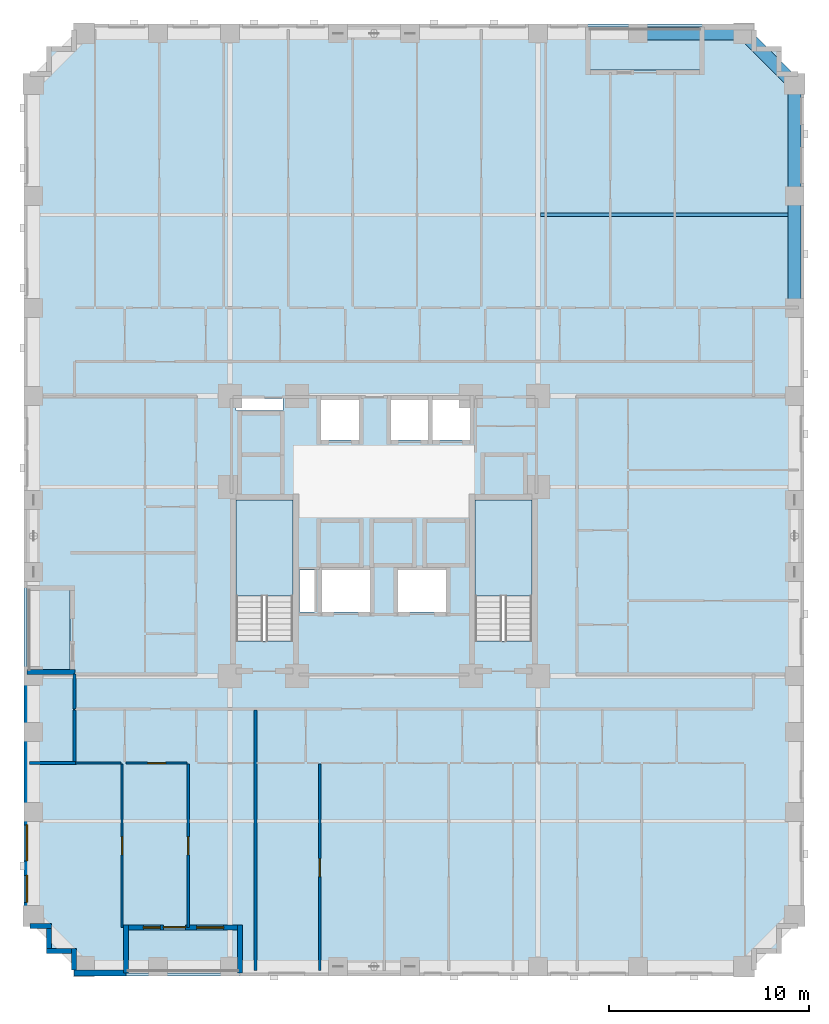
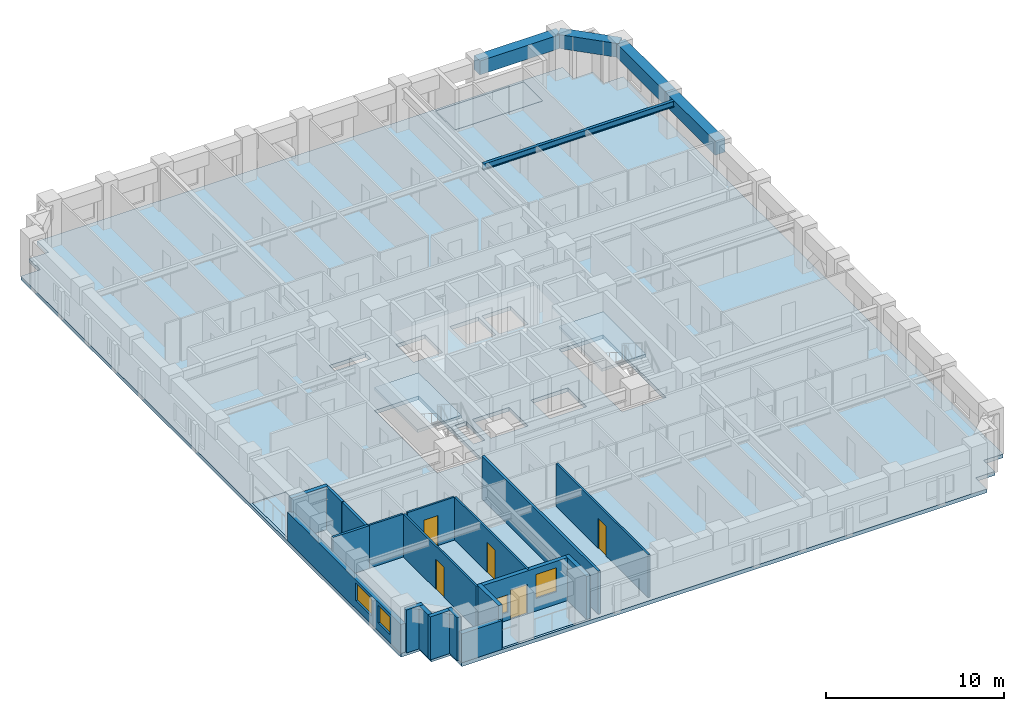
# One storey, part 2 of 14: 19 walls, 6 slabs, 5 beams, 5 doors, 4 windows, 9 openings, 2 elements without a shape of their own.
"""IFC4 building model written with IfcOpenShell, lengths in metres."""

from ifc_helpers import new_model, si_unit, derived_unit, direction, frame, frame_2d, origin, origin_2d, place, context, subcontext, project, spatial, polyline, rectangle, i_section, outline, extrude, material, layer, layer_set, material_profile, profile_set, type_object, element, fill, aggregate, save


model = new_model("IFC4")

# Units and contexts
model_context = context("Model", 3, precision=1e-05, world=origin(), true_north=direction((0.0, 1.0)))
body_context = subcontext(model_context, "Body", "Model", "MODEL_VIEW")
ifc_project = project(units=[si_unit("LENGTHUNIT", "METRE"), si_unit("AREAUNIT", "SQUARE_METRE"), si_unit("VOLUMEUNIT", "CUBIC_METRE"), si_unit("PLANEANGLEUNIT", "RADIAN"), si_unit("MASSUNIT", "GRAM", prefix="KILO"), derived_unit("THERMALTRANSMITTANCEUNIT", [(si_unit("MASSUNIT", "GRAM", prefix="KILO"), 1), (si_unit("TIMEUNIT", "SECOND"), -3), (si_unit("THERMODYNAMICTEMPERATUREUNIT", "KELVIN"), -1)])], contexts=[model_context])

# Site, building, storey
site_placement = place(None, origin())
site = spatial("IfcSite", under=ifc_project, at=site_placement, CompositionType="ELEMENT")
building_placement = place(site_placement, origin())
building = spatial("IfcBuilding", under=site, at=building_placement, Name="Korrvale Station Residences", CompositionType="ELEMENT")
storey_placement = place(building_placement, frame((0.0, 0.0, 41.800048828125)))
storey = spatial("IfcBuildingStorey", under=building, at=storey_placement, Name="L10", CompositionType="ELEMENT", Elevation=41.800048828125)

# Beams
ifc_material_1 = material(Name="Steel S355", Category="steel")
ifc_material_profile_1 = material_profile(ifc_material_1, i_section(OverallWidth=0.180908203125, OverallDepth=0.4169921875, WebThickness=0.010986328125, FlangeThickness=0.018310546875, FilletRadius=0.01611328125, at=origin_2d()), Name="W410x85")
ifc_profile_set_1 = profile_set([ifc_material_profile_1], Name="Steel S355")
beam_type_1 = type_object("IfcBeamType", Name="BM-JST-W410x85-S355", PredefinedType="JOIST", material=ifc_profile_set_1)
beam_1_placement = place(storey_placement, frame((33.333984375, 38.06005859375, 2.7314453125), z_axis=(1.0, 0.0, 0.0), x_axis=(0.0, 1.0, 0.0)))
element("IfcBeam", 1, at=beam_1_placement, inside=storey, type_object=beam_type_1, Name="L10 Floor Framing Joist 06", PredefinedType="JOIST", context=body_context, shape_type="SweptSolid", body=[
    extrude(i_section(OverallWidth=0.180908203125, OverallDepth=0.4169921875, WebThickness=0.010986328125, FlangeThickness=0.018310546875, FilletRadius=0.01611328125, at=origin_2d()), origin(), (0.0, 0.0, 1.0), 12.361083984375),
])
ifc_material_2 = material(Name="Concrete C70/85", Category="concrete")
ifc_material_profile_2 = material_profile(ifc_material_2, rectangle(XDim=0.64990234375, YDim=0.949951171875, at=origin_2d()), Name="RCB650x950")
ifc_profile_set_2 = profile_set([ifc_material_profile_2], Name="Concrete C70/85")
beam_type_2 = type_object("IfcBeamType", Name="BM-SPB-RCB650x950-C7085", PredefinedType="SPANDREL", material=ifc_profile_set_2)
beam_2_placement = place(storey_placement, frame((38.199951171875, 47.1201171875, 2.46484375), z_axis=(1.0, 0.0, 0.0), x_axis=(0.0, 1.0, 0.0)))
element("IfcBeam", 2, at=beam_2_placement, inside=storey, type_object=beam_type_2, Name="L10 North Tube Spandrel 14", PredefinedType="SPANDREL", context=body_context, shape_type="SweptSolid", body=[
    extrude(rectangle(XDim=0.64990234375, YDim=0.949951171875, at=origin_2d()), origin(), (0.0, 0.0, 1.0), 5.300048828125),
])
for number, where, z_axis, x_axis, name in (
    (3, (46.02001953125, 33.39990234375, 2.46484375), (0.0, 1.0, 0.0), (-1.0, 0.0, 0.0), "L10 East Tube Spandrel 31"),
    (4, (46.02001953125, 39.0, 2.46484375), (0.0, 1.0, 0.0), (-1.0, 0.0, 0.0), "L10 East Tube Spandrel 32"),
):
    element("IfcBeam", number, at=place(storey_placement, frame(where, z_axis=z_axis, x_axis=x_axis)), inside=storey, type_object=beam_type_2, Name=name, PredefinedType="SPANDREL", context=body_context, shape_type="SweptSolid", body=[
        extrude(rectangle(XDim=0.64990234375, YDim=0.949951171875, at=origin_2d()), origin(), (0.0, 0.0, 1.0), 5.60009765625),
    ])
beam_3_placement = place(storey_placement, frame((43.5, 47.1201171875, 2.46484375), z_axis=(0.707106781187, -0.707106781187, 0.0), x_axis=(0.707106781187, 0.707106781187, 0.0)))
element("IfcBeam", 5, at=beam_3_placement, inside=storey, type_object=beam_type_2, Name="L10 Serrated Corner Spandrel 35", PredefinedType="SPANDREL", context=body_context, shape_type="SweptSolid", body=[
    extrude(rectangle(XDim=0.64990234375, YDim=0.949951171875, at=origin_2d()), origin(), (0.0, 0.0, 1.0), 3.56396484375),
])

# Slabs
ifc_material_3 = material(Name="Concrete C50/60", Category="concrete")
ifc_layer_1 = layer(ifc_material_3, 0.219970703125, Name="Concrete C50/60")
ifc_layer_set_1 = layer_set([ifc_layer_1], Name="Concrete C50/60")
slab_type_1 = type_object("IfcSlabType", Name="SLB-BAL-220", PredefinedType="FLOOR", material=ifc_layer_set_1)
slab_1_placement = place(storey_placement, frame((0.0, 0.0, -0.219970703125)))
element("IfcSlab", 6, at=slab_1_placement, inside=storey, type_object=slab_type_1, Name="L10 Recessed Loggia Balcony Slab BAL-L10-S1", PredefinedType="FLOOR", context=body_context, shape_type="SweptSolid", body=[
    extrude(outline(polyline([(12.60009765625, 0.14990234375), (18.300048828125, 0.14990234375), (18.300048828125, 2.300048828125), (12.60009765625, 2.300048828125), (12.60009765625, 0.14990234375)])), origin(), (0.0, 0.0, 1.0), 0.219970703125),
])
slab_2_placement = place(storey_placement, frame((0.0, 0.0, -0.219970703125)))
element("IfcSlab", 7, at=slab_2_placement, inside=storey, type_object=slab_type_1, Name="L10 Recessed Loggia Balcony Slab BAL-L10-N1", PredefinedType="FLOOR", context=body_context, shape_type="SweptSolid", body=[
    extrude(outline(polyline([(35.699951171875, 45.300048828125), (41.39990234375, 45.300048828125), (41.39990234375, 47.449951171875), (35.699951171875, 47.449951171875), (35.699951171875, 45.300048828125)])), origin(), (0.0, 0.0, 1.0), 0.219970703125),
])
slab_3_placement = place(storey_placement, frame((0.0, 0.0, -0.219970703125)))
element("IfcSlab", 8, at=slab_3_placement, inside=storey, type_object=slab_type_1, Name="L10 Recessed Loggia Balcony Slab BAL-L10-W1", PredefinedType="FLOOR", context=body_context, shape_type="SweptSolid", body=[
    extrude(outline(polyline([(7.64990234375, 15.199951171875), (9.800048828125, 15.199951171875), (9.800048828125, 19.39990234375), (7.64990234375, 19.39990234375), (7.64990234375, 15.199951171875)])), origin(), (0.0, 0.0, 1.0), 0.219970703125),
])
ifc_layer_2 = layer(ifc_material_3, 0.260009765625, Name="Concrete C50/60")
ifc_layer_set_2 = layer_set([ifc_layer_2], Name="Concrete C50/60")
slab_type_2 = type_object("IfcSlabType", Name="SLB-FLR-260", PredefinedType="FLOOR", material=ifc_layer_set_2)
slab_4_placement = place(storey_placement, frame((0.0, 0.0, -0.260009765625)))
element("IfcSlab", 9, at=slab_4_placement, inside=storey, type_object=slab_type_2, Name="L10 Suspended Structural Floor Slab", PredefinedType="FLOOR", context=body_context, shape_type="SweptSolid", body=[
    extrude(outline(polyline([(10.0, 0.0), (44.0, 0.0), (44.0, 1.25), (45.25, 1.25), (45.25, 2.5), (46.5, 2.5), (46.5, 45.10009765625), (45.25, 45.10009765625), (45.25, 46.35009765625), (44.0, 46.35009765625), (44.0, 47.60009765625), (10.0, 47.60009765625), (10.0, 46.35009765625), (8.75, 46.35009765625), (8.75, 45.10009765625), (7.5, 45.10009765625), (7.5, 2.5), (8.75, 2.5), (8.75, 1.25), (10.0, 1.25), (10.0, 0.0)]), holes=[polyline([(20.949951171875, 16.751953125), (20.949951171875, 23.800048828125), (18.10009765625, 23.800048828125), (18.10009765625, 16.751953125), (20.949951171875, 16.751953125)]), polyline([(32.89990234375, 16.751953125), (32.89990234375, 23.800048828125), (30.050048828125, 23.800048828125), (30.050048828125, 16.751953125), (32.89990234375, 16.751953125)]), polyline([(22.35009765625, 26.800048828125), (24.25, 26.800048828125), (24.25, 28.800048828125), (22.35009765625, 28.800048828125), (22.35009765625, 26.800048828125)]), polyline([(25.85009765625, 26.800048828125), (27.7099609375, 26.800048828125), (27.7099609375, 28.800048828125), (25.85009765625, 28.800048828125), (25.85009765625, 26.800048828125)]), polyline([(27.929931640625, 26.800048828125), (29.7900390625, 26.800048828125), (29.7900390625, 28.800048828125), (27.929931640625, 28.800048828125), (27.929931640625, 26.800048828125)]), polyline([(22.39990234375, 18.199951171875), (24.800048828125, 18.199951171875), (24.800048828125, 20.300048828125), (22.39990234375, 20.300048828125), (22.39990234375, 18.199951171875)]), polyline([(26.199951171875, 18.199951171875), (28.60009765625, 18.199951171875), (28.60009765625, 20.300048828125), (26.199951171875, 20.300048828125), (26.199951171875, 18.199951171875)]), polyline([(18.10009765625, 28.280029296875), (20.449951171875, 28.280029296875), (20.449951171875, 28.8798828125), (18.10009765625, 28.8798828125), (18.10009765625, 28.280029296875)]), polyline([(21.280029296875, 18.199951171875), (22.02001953125, 18.199951171875), (22.02001953125, 20.300048828125), (21.280029296875, 20.300048828125), (21.280029296875, 18.199951171875)]), polyline([(12.60009765625, 0.14990234375), (18.300048828125, 0.14990234375), (18.300048828125, 2.300048828125), (12.60009765625, 2.300048828125), (12.60009765625, 0.14990234375)]), polyline([(35.699951171875, 45.300048828125), (41.39990234375, 45.300048828125), (41.39990234375, 47.449951171875), (35.699951171875, 47.449951171875), (35.699951171875, 45.300048828125)]), polyline([(7.64990234375, 15.199951171875), (9.800048828125, 15.199951171875), (9.800048828125, 19.39990234375), (7.64990234375, 19.39990234375), (7.64990234375, 15.199951171875)])]), origin(), (0.0, 0.0, 1.0), 0.260009765625),
])

# Stair, slab
stair_type = type_object("IfcStairType", Name="STR-DL-1350-18R-1778", PredefinedType="HALF_TURN_STAIR", material=ifc_material_3)
stair_1_placement = place(storey_placement, origin())
stair_1 = element("IfcStair", 10, at=stair_1_placement, inside=storey, type_object=stair_type, Name="L10 Exit Stair 1", PredefinedType="HALF_TURN_STAIR")
ifc_layer_3 = layer(ifc_material_3, 0.199951171875, Name="Concrete C50/60")
ifc_layer_set_3 = layer_set([ifc_layer_3], Name="Concrete C50/60")
slab_type_3 = type_object("IfcSlabType", Name="SLB-LND-200", PredefinedType="LANDING", material=ifc_layer_set_3)
slab_5_placement = place(storey_placement, frame((0.0, 0.0, 1.39990234375)))
slab_5 = element("IfcSlab", 11, at=slab_5_placement, type_object=slab_type_3, Name="ST-1 landing 1", PredefinedType="LANDING", context=body_context, shape_type="SweptSolid", body=[
    extrude(outline(polyline([(20.949951171875, 18.989990234375), (20.949951171875, 23.800048828125), (18.10009765625, 23.800048828125), (18.10009765625, 18.989990234375), (20.949951171875, 18.989990234375)])), origin(), (0.0, 0.0, 1.0), 0.199951171875),
])
aggregate(stair_1, [slab_5])

stair_2_placement = place(storey_placement, origin())
stair_2 = element("IfcStair", 12, at=stair_2_placement, inside=storey, type_object=stair_type, Name="L10 Exit Stair 2", PredefinedType="HALF_TURN_STAIR")
slab_6_placement = place(storey_placement, frame((0.0, 0.0, 1.39990234375)))
slab_6 = element("IfcSlab", 13, at=slab_6_placement, type_object=slab_type_3, Name="ST-2 landing 1", PredefinedType="LANDING", context=body_context, shape_type="SweptSolid", body=[
    extrude(outline(polyline([(32.89990234375, 18.989990234375), (32.89990234375, 23.800048828125), (30.050048828125, 23.800048828125), (30.050048828125, 18.989990234375), (32.89990234375, 18.989990234375)])), origin(), (0.0, 0.0, 1.0), 0.199951171875),
])
aggregate(stair_2, [slab_6])

# Wall
ifc_material_4 = material(Name="Precast concrete C45/55", Category="concrete")
ifc_layer_4 = layer(ifc_material_4, 0.260009765625, Name="Precast concrete C45/55")
ifc_layer_set_4 = layer_set([ifc_layer_4], Name="Precast concrete C45/55")
wall_type_1 = type_object("IfcWallType", Name="WAL-EXT-LOG260", PredefinedType="SOLIDWALL", material=ifc_layer_set_4)
wall_1_placement = place(storey_placement, frame((18.300048828125, 0.159912109375, 0.0), z_axis=(0.0, 0.0, 1.0), x_axis=(0.0, 1.0, 0.0)))
element("IfcWall", 14, at=wall_1_placement, inside=storey, type_object=wall_type_1, Name="L10 Recessed Loggia Wall BAL-L10-S1-L", PredefinedType="SOLIDWALL", context=body_context, shape_type="SweptSolid", body=[
    extrude(rectangle(XDim=2.400146484375, YDim=0.260009765625, at=frame_2d((1.2001953125, 0.0))), origin(), (0.0, 0.0, 1.0), 2.93994140625),
])

# Wall, openings, door, windows
wall_2_placement = place(storey_placement, frame((18.166015625, 2.429931640625, 0.0), z_axis=(0.0, 0.0, 1.0), x_axis=(-1.0, 0.0, 0.0)))
wall_2 = element("IfcWall", 15, at=wall_2_placement, inside=storey, type_object=wall_type_1, Name="L10 Recessed Loggia Wall BAL-L10-S1-B", PredefinedType="SOLIDWALL", context=body_context, shape_type="SweptSolid", body=[
    extrude(rectangle(XDim=5.43212890625, YDim=0.260009765625, at=frame_2d((2.716064453125, 0.0))), origin(), (0.0, 0.0, 1.0), 2.93994140625),
])
opening_1_placement = place(wall_2_placement, frame((2.591064453125, 0.0, 0.0)))
opening_1 = element("IfcOpeningElement", 16, at=opening_1_placement, cuts=wall_2, Name="Opening BD-01", PredefinedType="OPENING", context=body_context, shape_type="SweptSolid", body=[
    extrude(rectangle(XDim=1.10009765625, YDim=2.0, at=frame_2d((0.550048828125, 1.0))), frame((0.0, 0.14013671875, 0.0), z_axis=(0.0, -1.0, 0.0), x_axis=(1.0, 0.0, 0.0)), (0.0, 0.0, 1.0), 0.280029296875),
])
opening_2_placement = place(wall_2_placement, frame((3.85107421875, 0.0, 0.550048828125)))
opening_2 = element("IfcOpeningElement", 17, at=opening_2_placement, cuts=wall_2, Name="Opening W-11", PredefinedType="OPENING", context=body_context, shape_type="SweptSolid", body=[
    extrude(rectangle(XDim=0.85009765625, YDim=1.199951171875, at=frame_2d((0.425048828125, 0.60009765625))), frame((0.0, 0.14013671875, 0.0), z_axis=(0.0, -1.0, 0.0), x_axis=(1.0, 0.0, 0.0)), (0.0, 0.0, 1.0), 0.280029296875),
])
opening_3_placement = place(wall_2_placement, frame((0.68310546875, 0.0, 0.85009765625)))
opening_3 = element("IfcOpeningElement", 18, at=opening_3_placement, cuts=wall_2, Name="Opening W-06", PredefinedType="OPENING", context=body_context, shape_type="SweptSolid", body=[
    extrude(rectangle(XDim=1.35009765625, YDim=1.64990234375, at=frame_2d((0.675048828125, 0.824951171875))), frame((0.0, 0.14013671875, 0.0), z_axis=(0.0, -1.0, 0.0), x_axis=(1.0, 0.0, 0.0)), (0.0, 0.0, 1.0), 0.280029296875),
])
ifc_material_5 = material(Name="Exterior thermally broken aluminium glazed balcony door", Category="aluminium")
door_type_1 = type_object("IfcDoorType", Name="DR-EXT-BAL", OperationType="NOTDEFINED", PredefinedType="DOOR", material=ifc_material_5)
door_1_placement = place(opening_1_placement, origin())
door_1 = element("IfcDoor", 19, at=door_1_placement, inside=storey, type_object=door_type_1, Name="L10 Loggia Balcony Door BAL-L10-S1", OperationType="SINGLE_SWING_LEFT", OverallHeight=2.0, OverallWidth=1.10009765625, PredefinedType="DOOR", context=body_context, shape_type="SweptSolid", body=[
    extrude(rectangle(XDim=1.10009765625, YDim=2.0, at=frame_2d((0.550048828125, 1.0))), frame((0.0, 0.02490234375, 0.0), z_axis=(0.0, -1.0, 0.0), x_axis=(1.0, 0.0, 0.0)), (0.0, 0.0, 1.0), 0.050048828125),
])
fill(opening_1, door_1)
ifc_material_6 = material(Name="Thermally broken aluminium frame with triple low-e glazing", Category="aluminium")
window_type_1 = type_object("IfcWindowType", Name="WIN-W06", PartitioningType="SINGLE_PANEL", PredefinedType="WINDOW", material=ifc_material_6)
window_1_placement = place(opening_3_placement, origin())
window_1 = element("IfcWindow", 20, at=window_1_placement, inside=storey, type_object=window_type_1, Name="L10 Punched Window 04", OverallHeight=1.64990234375, OverallWidth=1.35009765625, PartitioningType="SINGLE_PANEL", PredefinedType="WINDOW", context=body_context, shape_type="SweptSolid", body=[
    extrude(rectangle(XDim=1.35009765625, YDim=1.64990234375, at=frame_2d((0.675048828125, 0.824951171875))), frame((0.0, 0.030029296875, 0.0), z_axis=(0.0, -1.0, 0.0), x_axis=(1.0, 0.0, 0.0)), (0.0, 0.0, 1.0), 0.06005859375),
])
fill(opening_3, window_1)
window_type_2 = type_object("IfcWindowType", Name="WIN-W11", PartitioningType="SINGLE_PANEL", PredefinedType="WINDOW", material=ifc_material_6)
window_2_placement = place(opening_2_placement, origin())
window_2 = element("IfcWindow", 21, at=window_2_placement, inside=storey, type_object=window_type_2, Name="L10 Punched Window 03", OverallHeight=1.199951171875, OverallWidth=0.85009765625, PartitioningType="SINGLE_PANEL", PredefinedType="WINDOW", context=body_context, shape_type="SweptSolid", body=[
    extrude(rectangle(XDim=0.85009765625, YDim=1.199951171875, at=frame_2d((0.425048828125, 0.60009765625))), frame((0.0, 0.030029296875, 0.0), z_axis=(0.0, -1.0, 0.0), x_axis=(1.0, 0.0, 0.0)), (0.0, 0.0, 1.0), 0.06005859375),
])
fill(opening_2, window_2)

# Walls
for number, where, z_axis, x_axis, name in (
    (22, (12.60009765625, 2.56005859375, 0.0), (0.0, 0.0, 1.0), (0.0, -1.0, 0.0), "L10 Recessed Loggia Wall BAL-L10-S1-R"),
    (23, (7.659912109375, 15.199951171875, 0.0), (0.0, 0.0, 1.0), (1.0, 0.0, 0.0), "L10 Recessed Loggia Wall BAL-L10-W1-L"),
):
    element("IfcWall", number, at=place(storey_placement, frame(where, z_axis=z_axis, x_axis=x_axis)), inside=storey, type_object=wall_type_1, Name=name, PredefinedType="SOLIDWALL", context=body_context, shape_type="SweptSolid", body=[
        extrude(rectangle(XDim=2.400146484375, YDim=0.260009765625, at=frame_2d((1.2001953125, 0.0))), origin(), (0.0, 0.0, 1.0), 2.93994140625),
    ])
wall_3_placement = place(storey_placement, frame((10.0, 0.302001953125, 0.0), z_axis=(0.0, 0.0, 1.0), x_axis=(0.0, 1.0, 0.0)))
element("IfcWall", 24, at=wall_3_placement, inside=storey, type_object=wall_type_1, Name="L10 Serrated Corner Precast Step SW-1", PredefinedType="SOLIDWALL", context=body_context, shape_type="SweptSolid", body=[
    extrude(rectangle(XDim=1.077880859375, YDim=0.260009765625, at=frame_2d((0.5390625, 0.0))), origin(), (0.0, 0.0, 1.0), 2.93994140625),
])
wall_4_placement = place(storey_placement, frame((9.867919921875, 1.25, 0.0), z_axis=(0.0, 0.0, 1.0), x_axis=(-1.0, 0.0, 0.0)))
element("IfcWall", 25, at=wall_4_placement, inside=storey, type_object=wall_type_1, Name="L10 Serrated Corner Precast Step SW-2", PredefinedType="SOLIDWALL", context=body_context, shape_type="SweptSolid", body=[
    extrude(rectangle(XDim=1.247802734375, YDim=0.260009765625, at=frame_2d((0.6240234375, 0.0))), origin(), (0.0, 0.0, 1.0), 2.93994140625),
])
wall_5_placement = place(storey_placement, frame((8.75, 1.382080078125, 0.0), z_axis=(0.0, 0.0, 1.0), x_axis=(0.0, 1.0, 0.0)))
element("IfcWall", 26, at=wall_5_placement, inside=storey, type_object=wall_type_1, Name="L10 Serrated Corner Precast Step SW-3", PredefinedType="SOLIDWALL", context=body_context, shape_type="SweptSolid", body=[
    extrude(rectangle(XDim=0.98583984375, YDim=0.260009765625, at=frame_2d((0.492919921875, 0.0))), origin(), (0.0, 0.0, 1.0), 2.93994140625),
])
wall_6_placement = place(storey_placement, frame((8.8798828125, 2.5, 0.0), z_axis=(0.0, 0.0, 1.0), x_axis=(-1.0, 0.0, 0.0)))
element("IfcWall", 27, at=wall_6_placement, inside=storey, type_object=wall_type_1, Name="L10 Serrated Corner Precast Step SW-4", PredefinedType="SOLIDWALL", context=body_context, shape_type="SweptSolid", body=[
    extrude(rectangle(XDim=1.077880859375, YDim=0.260009765625, at=frame_2d((0.5390625, 0.0))), origin(), (0.0, 0.0, 1.0), 2.93994140625),
])
ifc_layer_5 = layer(ifc_material_4, 0.300048828125, Name="Precast concrete C45/55")
ifc_layer_set_5 = layer_set([ifc_layer_5], Name="Precast concrete C45/55")
wall_type_2 = type_object("IfcWallType", Name="WAL-EXT-PC300", PredefinedType="SOLIDWALL", material=ifc_layer_set_5)
wall_7_placement = place(storey_placement, frame((12.60009765625, 0.14990234375, 0.0), z_axis=(0.0, 0.0, 1.0), x_axis=(-1.0, 0.0, 0.0)))
element("IfcWall", 28, at=wall_7_placement, inside=storey, type_object=wall_type_2, Name="L10 South Exterior Precast Wall 2", PredefinedType="SOLIDWALL", context=body_context, shape_type="SweptSolid", body=[
    extrude(rectangle(XDim=2.60009765625, YDim=0.300048828125, at=frame_2d((1.300048828125, 0.0))), origin(), (0.0, 0.0, 1.0), 1.974853515625),
])

# Wall, openings, windows
wall_8_placement = place(storey_placement, frame((7.64990234375, 2.5, 0.0), z_axis=(0.0, 0.0, 1.0), x_axis=(0.0, 1.0, 0.0)))
wall_8 = element("IfcWall", 29, at=wall_8_placement, inside=storey, type_object=wall_type_2, Name="L10 West Exterior Precast Wall 1", PredefinedType="SOLIDWALL", context=body_context, shape_type="SweptSolid", body=[
    extrude(rectangle(XDim=12.699951171875, YDim=0.300048828125, at=frame_2d((6.35009765625, 0.0))), origin(), (0.0, 0.0, 1.0), 1.974853515625),
])
opening_4_placement = place(wall_8_placement, frame((3.257080078125, 0.0, 0.550048828125)))
opening_4 = element("IfcOpeningElement", 30, at=opening_4_placement, cuts=wall_8, Name="Opening W-09", PredefinedType="OPENING", context=body_context, shape_type="SweptSolid", body=[
    extrude(rectangle(XDim=1.800048828125, YDim=1.199951171875, at=frame_2d((0.89990234375, 0.60009765625))), frame((0.0, 0.16015625, 0.0), z_axis=(0.0, -1.0, 0.0), x_axis=(1.0, 0.0, 0.0)), (0.0, 0.0, 1.0), 0.320068359375),
])
opening_5_placement = place(wall_8_placement, frame((1.18505859375, 0.0, 0.550048828125)))
opening_5 = element("IfcOpeningElement", 31, at=opening_5_placement, cuts=wall_8, Name="Opening W-10", PredefinedType="OPENING", context=body_context, shape_type="SweptSolid", body=[
    extrude(rectangle(XDim=1.35009765625, YDim=1.199951171875, at=frame_2d((0.675048828125, 0.60009765625))), frame((0.0, 0.16015625, 0.0), z_axis=(0.0, -1.0, 0.0), x_axis=(1.0, 0.0, 0.0)), (0.0, 0.0, 1.0), 0.320068359375),
])
window_type_3 = type_object("IfcWindowType", Name="WIN-W09", PartitioningType="DOUBLE_PANEL_VERTICAL", PredefinedType="WINDOW", material=ifc_material_6)
window_3_placement = place(opening_4_placement, origin())
window_3 = element("IfcWindow", 32, at=window_3_placement, inside=storey, type_object=window_type_3, Name="L10 Punched Window 01", OverallHeight=1.199951171875, OverallWidth=1.800048828125, PartitioningType="DOUBLE_PANEL_VERTICAL", PredefinedType="WINDOW", context=body_context, shape_type="SweptSolid", body=[
    extrude(rectangle(XDim=1.800048828125, YDim=1.199951171875, at=frame_2d((0.89990234375, 0.60009765625))), frame((0.0, 0.030029296875, 0.0), z_axis=(0.0, -1.0, 0.0), x_axis=(1.0, 0.0, 0.0)), (0.0, 0.0, 1.0), 0.06005859375),
])
fill(opening_4, window_3)
window_type_4 = type_object("IfcWindowType", Name="WIN-W10", PartitioningType="SINGLE_PANEL", PredefinedType="WINDOW", material=ifc_material_6)
window_4_placement = place(opening_5_placement, origin())
window_4 = element("IfcWindow", 33, at=window_4_placement, inside=storey, type_object=window_type_4, Name="L10 Punched Window 02", OverallHeight=1.199951171875, OverallWidth=1.35009765625, PartitioningType="SINGLE_PANEL", PredefinedType="WINDOW", context=body_context, shape_type="SweptSolid", body=[
    extrude(rectangle(XDim=1.35009765625, YDim=1.199951171875, at=frame_2d((0.675048828125, 0.60009765625))), frame((0.0, 0.030029296875, 0.0), z_axis=(0.0, -1.0, 0.0), x_axis=(1.0, 0.0, 0.0)), (0.0, 0.0, 1.0), 0.06005859375),
])
fill(opening_5, window_4)

# Wall
ifc_material_7 = material(Name="Acoustic steel-stud gypsum board partition", Category="steel")
ifc_layer_6 = layer(ifc_material_7, 0.1201171875, Name="Acoustic steel-stud gypsum board partition")
ifc_layer_set_6 = layer_set([ifc_layer_6], Name="Acoustic steel-stud gypsum board partition")
wall_type_3 = type_object("IfcWallType", Name="WAL-PART-125", PredefinedType="PARTITIONING", material=ifc_layer_set_6)
wall_9_placement = place(storey_placement, frame((10.080078125, 10.64990234375, 0.0), z_axis=(0.0, 0.0, 1.0), x_axis=(1.0, 0.0, 0.0)))
element("IfcWall", 34, at=wall_9_placement, inside=storey, type_object=wall_type_3, Name="L10 Suite Partition U01-H03", PredefinedType="PARTITIONING", context=body_context, shape_type="SweptSolid", body=[
    extrude(rectangle(XDim=2.260009765625, YDim=0.1201171875, at=frame_2d((1.1298828125, 0.0))), origin(), (0.0, 0.0, 1.0), 2.93994140625),
])

# Wall, opening, door
wall_10_placement = place(storey_placement, frame((12.60009765625, 10.64990234375, 0.0), z_axis=(0.0, 0.0, 1.0), x_axis=(1.0, 0.0, 0.0)))
wall_10 = element("IfcWall", 35, at=wall_10_placement, inside=storey, type_object=wall_type_3, Name="L10 Suite Partition U01-H14", PredefinedType="PARTITIONING", context=body_context, shape_type="SweptSolid", body=[
    extrude(rectangle(XDim=3.054931640625, YDim=0.1201171875, at=frame_2d((1.52734375, 0.0))), origin(), (0.0, 0.0, 1.0), 2.93994140625),
])
opening_6_placement = place(wall_10_placement, frame((1.076904296875, 0.0, 0.0)))
opening_6 = element("IfcOpeningElement", 36, at=opening_6_placement, cuts=wall_10, Name="Opening DI-900", PredefinedType="OPENING", context=body_context, shape_type="SweptSolid", body=[
    extrude(rectangle(XDim=0.89990234375, YDim=2.050048828125, at=frame_2d((0.449951171875, 1.02490234375))), frame((0.0, 0.070068359375, 0.0), z_axis=(0.0, -1.0, 0.0), x_axis=(1.0, 0.0, 0.0)), (0.0, 0.0, 1.0), 0.14013671875),
])
ifc_material_8 = material(Name="Painted solid-core timber interior room door", Category="wood")
door_type_2 = type_object("IfcDoorType", Name="DR-INT-900", OperationType="NOTDEFINED", PredefinedType="DOOR", material=ifc_material_8)
door_2_placement = place(opening_6_placement, origin())
door_2 = element("IfcDoor", 37, at=door_2_placement, inside=storey, type_object=door_type_2, Name="L10 Apartment 2BR L10-U01 Kitchen Door", OperationType="SINGLE_SWING_LEFT", OverallHeight=2.050048828125, OverallWidth=0.89990234375, PredefinedType="DOOR", context=body_context, shape_type="SweptSolid", body=[
    extrude(rectangle(XDim=0.89990234375, YDim=2.050048828125, at=frame_2d((0.449951171875, 1.02490234375))), frame((0.0, 0.02490234375, 0.0), z_axis=(0.0, -1.0, 0.0), x_axis=(1.0, 0.0, 0.0)), (0.0, 0.0, 1.0), 0.050048828125),
])
fill(opening_6, door_2)

wall_11_placement = place(storey_placement, frame((12.39990234375, 2.429931640625, 0.0), z_axis=(0.0, 0.0, 1.0), x_axis=(0.0, 1.0, 0.0)))
wall_11 = element("IfcWall", 38, at=wall_11_placement, inside=storey, type_object=wall_type_3, Name="L10 Suite Partition U01-V34", PredefinedType="PARTITIONING", context=body_context, shape_type="SweptSolid", body=[
    extrude(rectangle(XDim=8.16015625, YDim=0.1201171875, at=frame_2d((4.080078125, 0.0))), origin(), (0.0, 0.0, 1.0), 2.93994140625),
])
opening_7_placement = place(wall_11_placement, frame((3.6298828125, 0.0, 0.0)))
opening_7 = element("IfcOpeningElement", 39, at=opening_7_placement, cuts=wall_11, Name="Opening DI-900", PredefinedType="OPENING", context=body_context, shape_type="SweptSolid", body=[
    extrude(rectangle(XDim=0.89990234375, YDim=2.050048828125, at=frame_2d((0.449951171875, 1.02490234375))), frame((0.0, 0.070068359375, 0.0), z_axis=(0.0, -1.0, 0.0), x_axis=(1.0, 0.0, 0.0)), (0.0, 0.0, 1.0), 0.14013671875),
])
door_3_placement = place(opening_7_placement, origin())
door_3 = element("IfcDoor", 40, at=door_3_placement, inside=storey, type_object=door_type_2, Name="L10 Apartment 2BR L10-U01 Living and Dining Room Door", OperationType="SINGLE_SWING_LEFT", OverallHeight=2.050048828125, OverallWidth=0.89990234375, PredefinedType="DOOR", context=body_context, shape_type="SweptSolid", body=[
    extrude(rectangle(XDim=0.89990234375, YDim=2.050048828125, at=frame_2d((0.449951171875, 1.02490234375))), frame((0.0, 0.02490234375, 0.0), z_axis=(0.0, -1.0, 0.0), x_axis=(1.0, 0.0, 0.0)), (0.0, 0.0, 1.0), 0.050048828125),
])
fill(opening_7, door_3)

wall_12_placement = place(storey_placement, frame((15.715087890625, 2.429931640625, 0.0), z_axis=(0.0, 0.0, 1.0), x_axis=(0.0, 1.0, 0.0)))
wall_12 = element("IfcWall", 41, at=wall_12_placement, inside=storey, type_object=wall_type_3, Name="L10 Suite Partition U01-V45", PredefinedType="PARTITIONING", context=body_context, shape_type="SweptSolid", body=[
    extrude(rectangle(XDim=8.16015625, YDim=0.1201171875, at=frame_2d((4.080078125, 0.0))), origin(), (0.0, 0.0, 1.0), 2.93994140625),
])
opening_8_placement = place(wall_12_placement, frame((3.6298828125, 0.0, 0.0)))
opening_8 = element("IfcOpeningElement", 42, at=opening_8_placement, cuts=wall_12, Name="Opening DI-900", PredefinedType="OPENING", context=body_context, shape_type="SweptSolid", body=[
    extrude(rectangle(XDim=0.89990234375, YDim=2.050048828125, at=frame_2d((0.449951171875, 1.02490234375))), frame((0.0, 0.070068359375, 0.0), z_axis=(0.0, -1.0, 0.0), x_axis=(1.0, 0.0, 0.0)), (0.0, 0.0, 1.0), 0.14013671875),
])
door_4_placement = place(opening_8_placement, origin())
door_4 = element("IfcDoor", 43, at=door_4_placement, inside=storey, type_object=door_type_2, Name="L10 Apartment 2BR L10-U01 Bedroom 1 Door", OperationType="SINGLE_SWING_RIGHT", OverallHeight=2.050048828125, OverallWidth=0.89990234375, PredefinedType="DOOR", context=body_context, shape_type="SweptSolid", body=[
    extrude(rectangle(XDim=0.89990234375, YDim=2.050048828125, at=frame_2d((0.449951171875, 1.02490234375))), frame((0.0, 0.02490234375, 0.0), z_axis=(0.0, -1.0, 0.0), x_axis=(1.0, 0.0, 0.0)), (0.0, 0.0, 1.0), 0.050048828125),
])
fill(opening_8, door_4)

wall_13_placement = place(storey_placement, frame((22.2900390625, 0.280029296875, 0.0), z_axis=(0.0, 0.0, 1.0), x_axis=(0.0, 1.0, 0.0)))
wall_13 = element("IfcWall", 44, at=wall_13_placement, inside=storey, type_object=wall_type_3, Name="L10 Suite Partition U02-V78", PredefinedType="PARTITIONING", context=body_context, shape_type="SweptSolid", body=[
    extrude(rectangle(XDim=10.31005859375, YDim=0.1201171875, at=frame_2d((5.155029296875, 0.0))), origin(), (0.0, 0.0, 1.0), 2.93994140625),
])
opening_9_placement = place(wall_13_placement, frame((4.68994140625, 0.0, 0.0)))
opening_9 = element("IfcOpeningElement", 45, at=opening_9_placement, cuts=wall_13, Name="Opening DI-900", PredefinedType="OPENING", context=body_context, shape_type="SweptSolid", body=[
    extrude(rectangle(XDim=0.89990234375, YDim=2.050048828125, at=frame_2d((0.449951171875, 1.02490234375))), frame((0.0, 0.070068359375, 0.0), z_axis=(0.0, -1.0, 0.0), x_axis=(1.0, 0.0, 0.0)), (0.0, 0.0, 1.0), 0.14013671875),
])
door_5_placement = place(opening_9_placement, origin())
door_5 = element("IfcDoor", 46, at=door_5_placement, inside=storey, type_object=door_type_2, Name="L10 Studio Apartment L10-U02 Formal Dining Room Door", OperationType="SINGLE_SWING_LEFT", OverallHeight=2.050048828125, OverallWidth=0.89990234375, PredefinedType="DOOR", context=body_context, shape_type="SweptSolid", body=[
    extrude(rectangle(XDim=0.89990234375, YDim=2.050048828125, at=frame_2d((0.449951171875, 1.02490234375))), frame((0.0, 0.02490234375, 0.0), z_axis=(0.0, -1.0, 0.0), x_axis=(1.0, 0.0, 0.0)), (0.0, 0.0, 1.0), 0.050048828125),
])
fill(opening_9, door_5)

# Walls
ifc_material_9 = material(Name="Fire-rated twin-stud gypsum and mineral wool shaftwall assembly", Category="gypsum")
ifc_layer_7 = layer(ifc_material_9, 0.159912109375, Name="Fire-rated twin-stud gypsum and mineral wool shaftwall assembly")
ifc_layer_set_7 = layer_set([ifc_layer_7], Name="Fire-rated twin-stud gypsum and mineral wool shaftwall assembly")
wall_type_4 = type_object("IfcWallType", Name="WAL-PART-200", PredefinedType="PARTITIONING", material=ifc_layer_set_7)
wall_14_placement = place(storey_placement, frame((10.02001953125, 13.35009765625, 0.0), z_axis=(0.0, 0.0, 1.0), x_axis=(0.0, 1.0, 0.0)))
element("IfcWall", 47, at=wall_14_placement, inside=storey, type_object=wall_type_4, Name="L10 Corridor South West Cap", PredefinedType="PARTITIONING", context=body_context, shape_type="SweptSolid", body=[
    extrude(rectangle(XDim=1.739990234375, YDim=0.159912109375, at=frame_2d((0.8701171875, 0.0))), origin(), (0.0, 0.0, 1.0), 2.93994140625),
])
wall_15_placement = place(storey_placement, frame((7.780029296875, 10.64990234375, 0.0), z_axis=(0.0, 0.0, 1.0), x_axis=(1.0, 0.0, 0.0)))
element("IfcWall", 48, at=wall_15_placement, inside=storey, type_object=wall_type_4, Name="L10 Corner Step Wall U01-L", PredefinedType="PARTITIONING", context=body_context, shape_type="SweptSolid", body=[
    extrude(rectangle(XDim=2.340087890625, YDim=0.159912109375, at=frame_2d((1.169921875, 0.0))), origin(), (0.0, 0.0, 1.0), 2.93994140625),
])
wall_16_placement = place(storey_placement, frame((10.02001953125, 10.64990234375, 0.0), z_axis=(0.0, 0.0, 1.0), x_axis=(0.0, 1.0, 0.0)))
element("IfcWall", 49, at=wall_16_placement, inside=storey, type_object=wall_type_4, Name="L10 Corner Step Cheek U01-L", PredefinedType="PARTITIONING", context=body_context, shape_type="SweptSolid", body=[
    extrude(rectangle(XDim=2.66015625, YDim=0.159912109375, at=frame_2d((1.330078125, 0.0))), origin(), (0.0, 0.0, 1.0), 2.93994140625),
])
wall_17_placement = place(storey_placement, frame((19.070068359375, 0.280029296875, 0.0), z_axis=(0.0, 0.0, 1.0), x_axis=(0.0, 1.0, 0.0)))
element("IfcWall", 50, at=wall_17_placement, inside=storey, type_object=wall_type_4, Name="L10 Demising Wall U02-W", PredefinedType="PARTITIONING", context=body_context, shape_type="SweptSolid", body=[
    extrude(rectangle(XDim=13.030029296875, YDim=0.159912109375, at=frame_2d((6.51513671875, 0.0))), origin(), (0.0, 0.0, 1.0), 2.93994140625),
])

save(model, "model.ifc")
